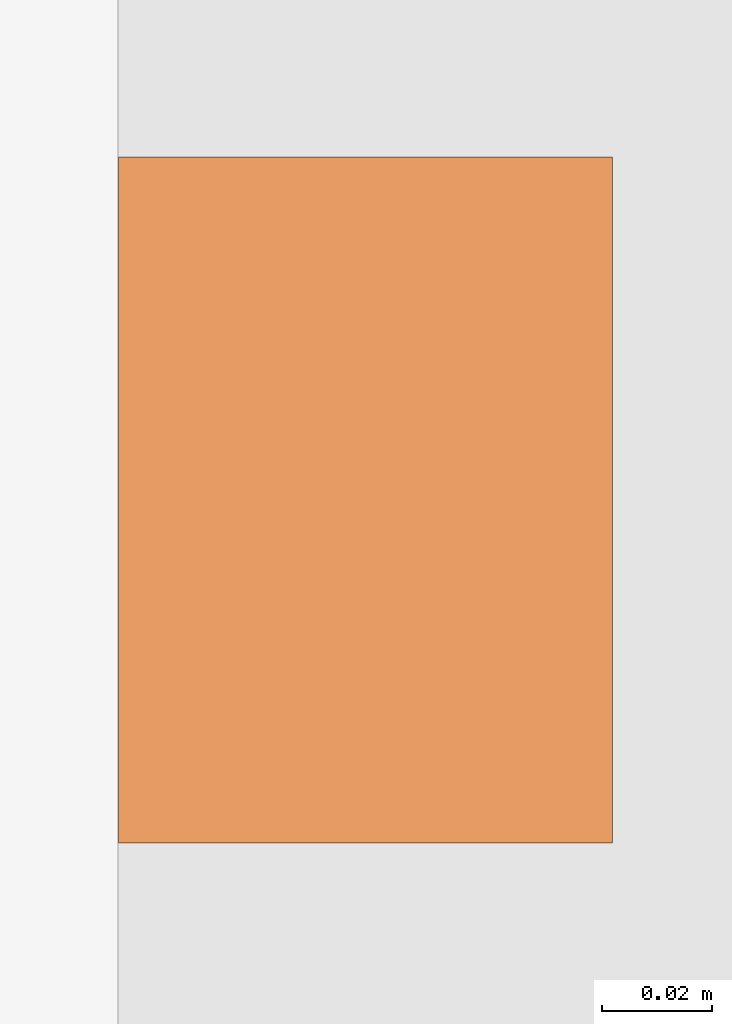
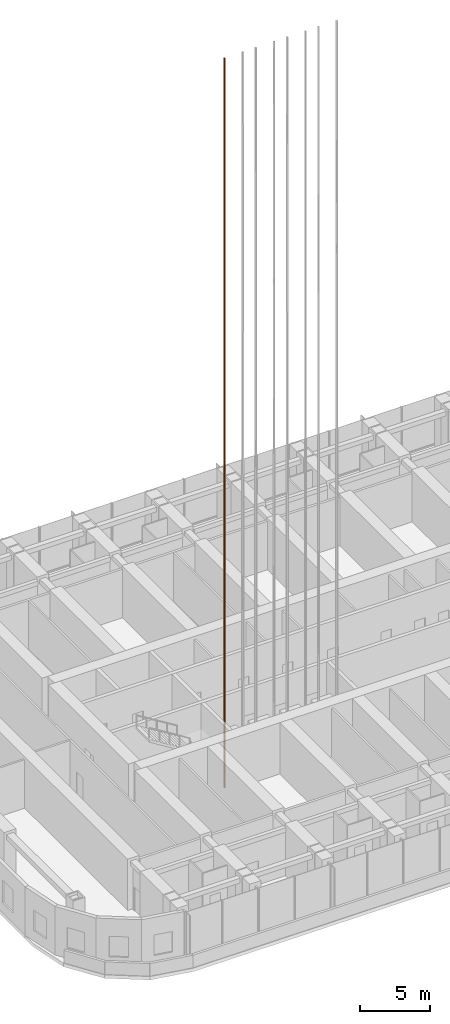
# One storey, part 24 of 31: 1 proxy.
"""IFC4 building model written with IfcOpenShell, lengths in metres."""

import ifcopenshell
import ifcopenshell.guid

model = None  # the IFC model being written
_history = None  # IfcOwnerHistory: only IFC2X3 demands one
_inside = {}  # id of a spatial element -> (the spatial element, [elements in it])
_under = {}  # id of a project, library or spatial element -> (it, [spatial elements below it])
_declared = {}  # id of a project -> (the project, [libraries it declares])
_typed = {}  # id of a type object -> (the type object, [elements of that type])
_made_of = {}  # id of a material, layer set ... -> (it, [elements and type objects made of it])


def new_model(schema):
    """Start an empty IFC model of exactly this schema.

    Asked for "IFC4X3", IfcOpenShell would pick the latest addendum, in which some entities
    have other attributes; the version numbers below select the first issue.
    IFC2X3 requires an IfcOwnerHistory on every rooted entity: one is made here for all.
    """
    global model, _history
    if schema == "IFC4X3":
        model = ifcopenshell.file(schema_version=(4, 3, 0, 0))
    else:
        model = ifcopenshell.file(schema=schema)
    _inside.clear()
    _under.clear()
    _declared.clear()
    _typed.clear()
    _made_of.clear()
    _history = None
    if model.schema == "IFC2X3":
        org = make("IfcOrganization", Name="unknown")
        user = make(
            "IfcPersonAndOrganization",
            ThePerson=make("IfcPerson", FamilyName="unknown"),
            TheOrganization=org,
        )
        app = make(
            "IfcApplication",
            ApplicationDeveloper=org,
            Version="unknown",
            ApplicationFullName="unknown",
            ApplicationIdentifier="unknown",
        )
        _history = make(
            "IfcOwnerHistory",
            OwningUser=user,
            OwningApplication=app,
            ChangeAction="ADDED",
            CreationDate=0,
        )
    return model


def make(cls, **values):
    """One entity of the class cls with the attributes given. An attribute that is None is left unset."""
    return model.create_entity(
        cls, **{name: value for name, value in values.items() if value is not None}
    )


def rooted(cls, **values):
    """An entity with a GlobalId (a new one), such as an element, a storey or a relation."""
    return make(cls, GlobalId=ifcopenshell.guid.new(), OwnerHistory=_history, **values)


def si_unit(unit_type, name, prefix=None):
    """IfcSIUnit, for example si_unit("LENGTHUNIT", "METRE", prefix="MILLI")."""
    return make("IfcSIUnit", UnitType=unit_type, Prefix=prefix, Name=name)


def assignment(units):
    """IfcUnitAssignment: the units of a project."""
    return None if units is None else make("IfcUnitAssignment", Units=units)


def point(xyz):
    """IfcCartesianPoint."""
    return None if xyz is None else make("IfcCartesianPoint", Coordinates=xyz)


def direction(xyz):
    """IfcDirection."""
    return None if xyz is None else make("IfcDirection", DirectionRatios=xyz)


def frame(location, z_axis=None, x_axis=None):
    """IfcAxis2Placement3D, a coordinate frame: its origin and axes. An axis left out is left unset."""
    return make(
        "IfcAxis2Placement3D",
        Location=point(location),
        Axis=direction(z_axis),
        RefDirection=direction(x_axis),
    )


def frame_2d(location, x_axis=None):
    """IfcAxis2Placement2D, a coordinate frame in the plane: its origin and x axis."""
    return make(
        "IfcAxis2Placement2D", Location=point(location), RefDirection=direction(x_axis)
    )


def origin():
    """The frame at (0, 0, 0) with its axes left unset."""
    return frame((0.0, 0.0, 0.0))


def origin_2d():
    """The frame at (0, 0) in the plane with its x axis left unset."""
    return frame_2d((0.0, 0.0))


def place(relative_to, where):
    """IfcLocalPlacement: puts the frame where relative to a parent placement (None: the world)."""
    return make(
        "IfcLocalPlacement", PlacementRelTo=relative_to, RelativePlacement=where
    )


def context(
    kind, dimensions, precision=None, world=None, true_north=None, identifier=None
):
    """IfcGeometricRepresentationContext, for example the 3D "Model" context."""
    return make(
        "IfcGeometricRepresentationContext",
        ContextIdentifier=identifier,
        ContextType=kind,
        CoordinateSpaceDimension=dimensions,
        Precision=precision,
        WorldCoordinateSystem=world,
        TrueNorth=true_north,
    )


def subcontext(parent, identifier, kind, view, scale=None):
    """IfcGeometricRepresentationSubContext, for example "Body" below "Model"."""
    return make(
        "IfcGeometricRepresentationSubContext",
        ContextIdentifier=identifier,
        ContextType=kind,
        ParentContext=parent,
        TargetScale=scale,
        TargetView=view,
    )


def project(units=None, contexts=None):
    """IfcProject with its units and contexts."""
    return rooted(
        "IfcProject",
        Name="project",
        RepresentationContexts=contexts,
        UnitsInContext=assignment(units),
    )


def spatial(cls, under=None, at=None, **own):
    """A site, building, storey or space (cls), placed at a placement, below another one or the project."""
    s = rooted(cls, ObjectPlacement=at, **own)
    if under is not None:
        _under.setdefault(under.id(), (under, []))[1].append(s)
    return s


def profile(cls, at=None, kind="AREA", **sizes):
    """A parametric profile (cls). Its sizes go by their IFC names, for example OverallWidth=200.0."""
    return make(cls, ProfileType=kind, Position=at, **sizes)


def rectangle(**sizes):
    """IfcRectangleProfileDef."""
    return profile("IfcRectangleProfileDef", **sizes)


def extrude(swept, where, along, depth):
    """IfcExtrudedAreaSolid: the profile swept, set in the frame where, extruded along a direction by depth."""
    return make(
        "IfcExtrudedAreaSolid",
        SweptArea=swept,
        Position=where,
        ExtrudedDirection=direction(along),
        Depth=depth,
    )


def shape(context_of_items, identifier, shape_type, items):
    """IfcShapeRepresentation: the items that make up one representation, for example the "Body"."""
    return make(
        "IfcShapeRepresentation",
        ContextOfItems=context_of_items,
        RepresentationIdentifier=identifier,
        RepresentationType=shape_type,
        Items=items,
    )


def material(Name=None, Category=None):
    """IfcMaterial."""
    return make("IfcMaterial", Name=Name, Category=Category)


def made_of(thing, what):
    """Note that an element or type object is made of a material, layer set ...; save() writes the relation."""
    if what is not None:
        _made_of.setdefault(what.id(), (what, []))[1].append(thing)
    return thing


def element(
    cls,
    number,
    at=None,
    inside=None,
    cuts=None,
    type_object=None,
    material=None,
    context=None,
    identifier="Body",
    shape_type=None,
    held_by="IfcProductDefinitionShape",
    body=None,
    shapes=None,
    **own,
):
    """One element of the class cls, such as IfcWall. Its Tag is "e" and its number.

    at: its placement. inside: the storey or other place that contains it. cuts: it is an
    opening in that element (IfcRelVoidsElement). A single representation is given by context,
    identifier, shape_type and body (its items); several are given by shapes. held_by: the class
    of the entity that holds the representations. save() writes the other relations.
    """
    e = rooted(cls, Tag="e%d" % number, ObjectPlacement=at, **own)
    if body is not None:
        shapes = [shape(context, identifier, shape_type, body)]
    if shapes is not None:
        e.Representation = make(held_by, Representations=shapes)
    if inside is not None:
        _inside.setdefault(inside.id(), (inside, []))[1].append(e)
    if cuts is not None:
        rooted(
            "IfcRelVoidsElement", RelatingBuildingElement=cuts, RelatedOpeningElement=e
        )
    if type_object is not None:
        _typed.setdefault(type_object.id(), (type_object, []))[1].append(e)
    return made_of(e, material)


def aggregate(whole, parts):
    """IfcRelAggregates: a whole, such as a stair, and the parts it consists of."""
    return rooted("IfcRelAggregates", RelatingObject=whole, RelatedObjects=parts)


def save(model, path):
    """Write the relations noted so far, then the file.

    IfcRelAggregates (storeys below a building ...), IfcRelContainedInSpatialStructure (elements
    in a storey), IfcRelDefinesByType, IfcRelAssociatesMaterial and IfcRelDeclares: one each for
    every whole, place, type object, material and project.
    """
    for whole, parts in _under.values():
        aggregate(whole, parts)
    for where, things in _inside.values():
        rooted(
            "IfcRelContainedInSpatialStructure",
            RelatedElements=things,
            RelatingStructure=where,
        )
    for kind, things in _typed.values():
        rooted("IfcRelDefinesByType", RelatedObjects=things, RelatingType=kind)
    for what, things in _made_of.values():
        rooted("IfcRelAssociatesMaterial", RelatedObjects=things, RelatingMaterial=what)
    for by, libraries in _declared.values():
        rooted("IfcRelDeclares", RelatingContext=by, RelatedDefinitions=libraries)
    model.write(path)


model = new_model("IFC4")

# Units and contexts
model_context = context("Model", 3, precision=1e-05, world=origin(), true_north=direction((0.0, 1.0)))
body_context = subcontext(model_context, "Body", "Model", "MODEL_VIEW")
ifc_project = project(units=[si_unit("LENGTHUNIT", "METRE"), si_unit("AREAUNIT", "SQUARE_METRE"), si_unit("VOLUMEUNIT", "CUBIC_METRE"), si_unit("PLANEANGLEUNIT", "RADIAN"), si_unit("MASSUNIT", "GRAM", prefix="KILO")], contexts=[model_context])

# Site, building, storey
site_placement = place(None, origin())
site = spatial("IfcSite", under=ifc_project, at=site_placement, CompositionType="ELEMENT")
building_placement = place(site_placement, origin())
building = spatial("IfcBuilding", under=site, at=building_placement, Name="Orbita Commons", CompositionType="ELEMENT")
storey_placement = place(building_placement, frame((0.0, 0.0, 76.14990234375)))
storey = spatial("IfcBuildingStorey", under=building, at=storey_placement, Name="L18", CompositionType="ELEMENT", Elevation=76.14990234375)

# Proxy
ifc_material = material(Name="Machined steel guide rail", Category="steel")
placement = place(storey_placement, frame((27.300048828125, 28.10009765625, 0.0), z_axis=(0.0, 0.0, 1.0), x_axis=(1.0, 0.0, 0.0)))
proxy_placement = place(placement, frame((-0.7548828125, 0.0, -1.800048828125)))
element("IfcBuildingElementProxy", 1, at=proxy_placement, inside=storey, material=ifc_material, Name="P21 guide rail 1", ObjectType="GUIDE RAIL", PredefinedType="USERDEFINED", context=body_context, shape_type="SweptSolid", body=[
    extrude(rectangle(XDim=0.09, YDim=0.125, at=origin_2d()), origin(), (0.0, 0.0, 1.0), 63.89990234375),
])

save(model, "model.ifc")
